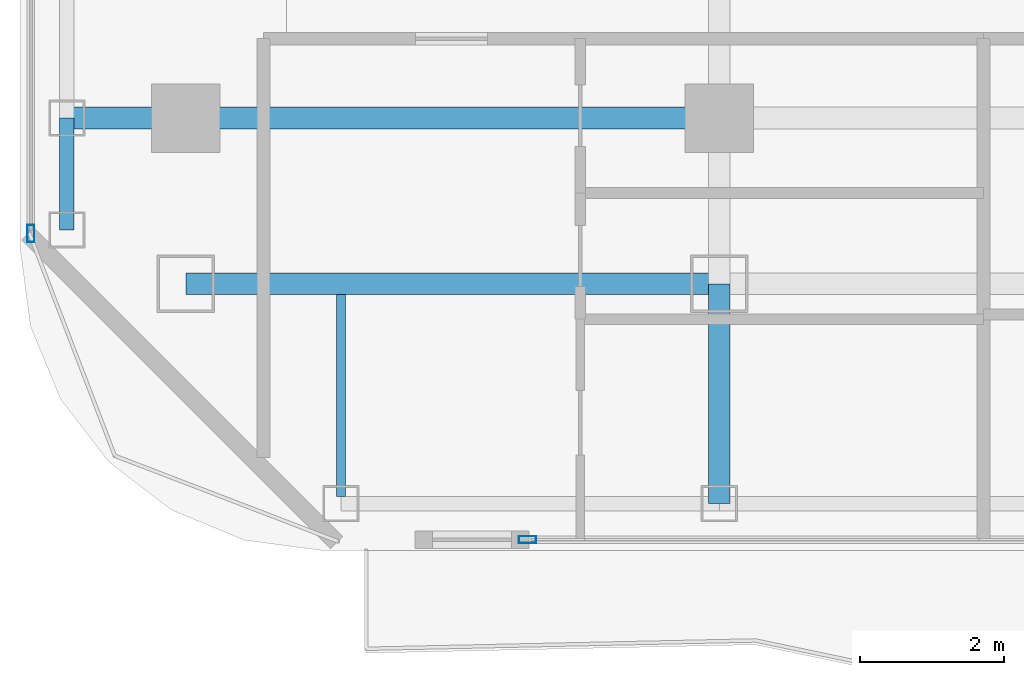
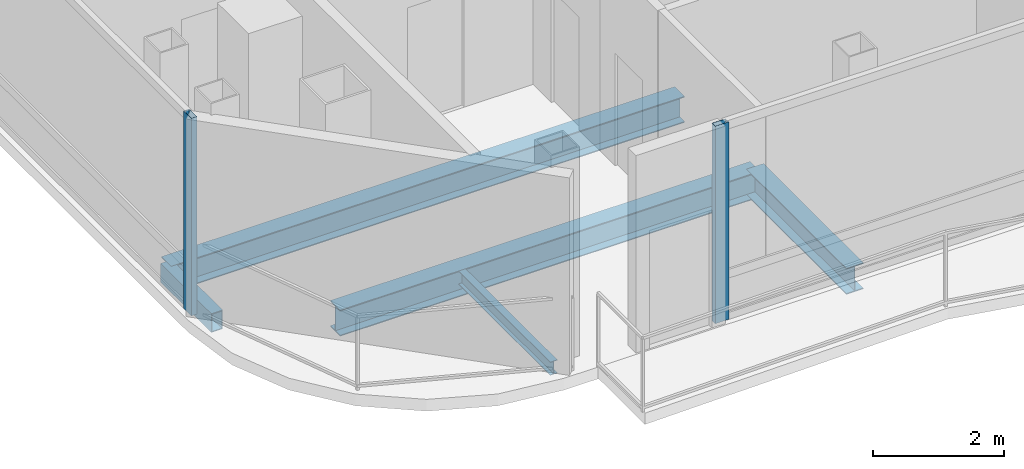
# One storey, part 2 of 24: 5 beams, 2 members, 2 elements without a shape of their own.
"""IFC4 building model written with IfcOpenShell, lengths in metres."""

from ifc_helpers import new_model, si_unit, direction, frame, origin, origin_2d, place, context, subcontext, project, spatial, hollow_rectangle, i_section, extrude, material, layer, layer_set, material_profile, profile_set, type_object, element, aggregate, save


model = new_model("IFC4")

# Units and contexts
model_context = context("Model", 3, precision=1e-05, world=origin(), true_north=direction((0.0, 1.0)))
body_context = subcontext(model_context, "Body", "Model", "MODEL_VIEW")
ifc_project = project(units=[si_unit("LENGTHUNIT", "METRE"), si_unit("AREAUNIT", "SQUARE_METRE"), si_unit("VOLUMEUNIT", "CUBIC_METRE"), si_unit("PLANEANGLEUNIT", "RADIAN"), si_unit("MASSUNIT", "GRAM", prefix="KILO")], contexts=[model_context])

# Site, building, storey
site_placement = place(None, origin())
site = spatial("IfcSite", under=ifc_project, at=site_placement, CompositionType="ELEMENT")
building_placement = place(site_placement, origin())
building = spatial("IfcBuilding", under=site, at=building_placement, Name="Khorvyn Point Tower", CompositionType="ELEMENT")
storey_placement = place(building_placement, frame((0.0, 0.0, 266.39990234375)))
storey = spatial("IfcBuildingStorey", under=building, at=storey_placement, Name="L65", CompositionType="ELEMENT", Elevation=266.39990234375)

# Curtain wall, member
ifc_material_1 = material(Name="Anodised aluminium 6063-T6 and laminated Low-E glass", Category="aluminium")
ifc_layer = layer(ifc_material_1, 0.18994140625)
ifc_layer_set = layer_set([ifc_layer], Name="Stick-Built High-Wind Curtain Wall CW-SYS-04")
curtain_wall_type = type_object("IfcCurtainWallType", Name="Stick-Built High-Wind Curtain Wall CW-SYS-04", PredefinedType="NOTDEFINED", material=ifc_layer_set)
curtain_wall_1_placement = place(storey_placement, origin())
curtain_wall_1 = element("IfcCurtainWall", 1, at=curtain_wall_1_placement, inside=storey, type_object=curtain_wall_type, Name="Curtain Wall", PredefinedType="NOTDEFINED")
ifc_material_2 = material(Name="Anodised aluminium 6063-T6", Category="aluminium")
ifc_material_profile_1 = material_profile(ifc_material_2, hollow_rectangle(XDim=0.10009765625, YDim=0.239990234375, WallThickness=0.0048828125, at=origin_2d()))
ifc_profile_set_1 = profile_set([ifc_material_profile_1], Name="Anodised aluminium 6063-T6 ALU-MUL-100x240")
member_type = type_object("IfcMemberType", Name="Anodised Aluminium 6063-T6 Mullion ALU-MUL-100x240", PredefinedType="MULLION", material=ifc_profile_set_1)
member_1_placement = place(storey_placement, frame((-10.05908203125, -20.64990234375, 0.0), z_axis=(0.0, 0.0, 1.0), x_axis=(0.0, -1.0, 0.0)))
member_1 = element("IfcMember", 2, at=member_1_placement, type_object=member_type, Name="Transom", PredefinedType="MULLION", context=body_context, shape_type="SweptSolid", body=[
    extrude(hollow_rectangle(XDim=0.10009765625, YDim=0.239990234375, WallThickness=0.0048828125, at=origin_2d()), origin(), (0.0, 0.0, 1.0), 3.68017578125),
])
aggregate(curtain_wall_1, [member_1])

curtain_wall_2_placement = place(storey_placement, origin())
curtain_wall_2 = element("IfcCurtainWall", 3, at=curtain_wall_2_placement, inside=storey, type_object=curtain_wall_type, Name="Curtain Wall", PredefinedType="NOTDEFINED")
member_2_placement = place(storey_placement, frame((-16.949951171875, -16.39990234375, 0.0), z_axis=(0.0, 0.0, 1.0), x_axis=(-1.0, 0.0, 0.0)))
member_2 = element("IfcMember", 4, at=member_2_placement, type_object=member_type, Name="Transom", PredefinedType="MULLION", context=body_context, shape_type="SweptSolid", body=[
    extrude(hollow_rectangle(XDim=0.10009765625, YDim=0.239990234375, WallThickness=0.0048828125, at=origin_2d()), origin(), (0.0, 0.0, 1.0), 3.68017578125),
])
aggregate(curtain_wall_2, [member_2])

# Beams
ifc_material_3 = material(Name="Steel S355", Category="steel")
ifc_material_profile_2 = material_profile(ifc_material_3, i_section(OverallWidth=0.125, OverallDepth=0.25, WebThickness=0.006103515625, FlangeThickness=0.009033203125, at=origin_2d()))
ifc_profile_set_2 = profile_set([ifc_material_profile_2], Name="Steel S355 H250x125x6x9")
beam_type_1 = type_object("IfcBeamType", Name="Steel S355 Joist H250x125x6x9", PredefinedType="JOIST", material=ifc_profile_set_2)
beam_1_placement = place(storey_placement, frame((-12.64990234375, -20.050048828125, -0.344970703125), z_axis=(0.0, 1.0, 0.0), x_axis=(-1.0, 0.0, 0.0)))
element("IfcBeam", 5, at=beam_1_placement, inside=storey, type_object=beam_type_1, Name="Beam", PredefinedType="JOIST", context=body_context, shape_type="SweptSolid", body=[
    extrude(i_section(OverallWidth=0.125, OverallDepth=0.25, WebThickness=0.006103515625, FlangeThickness=0.009033203125, at=origin_2d()), origin(), (0.0, 0.0, 1.0), 2.800048828125),
])
ifc_material_profile_3 = material_profile(ifc_material_3, i_section(OverallWidth=0.300048828125, OverallDepth=0.488037109375, WebThickness=0.010986328125, FlangeThickness=0.01806640625, at=origin_2d()))
ifc_profile_set_3 = profile_set([ifc_material_profile_3], Name="Steel S355 H488x300x11x18")
beam_type_2 = type_object("IfcBeamType", Name="Steel S355 Spandrel H488x300x11x18", PredefinedType="SPANDREL", material=ifc_profile_set_3)
beam_2_placement = place(storey_placement, frame((-16.449951171875, -14.800048828125, -0.4638671875), z_axis=(1.0, 0.0, 0.0), x_axis=(0.0, 1.0, 0.0)))
element("IfcBeam", 6, at=beam_2_placement, inside=storey, type_object=beam_type_2, Name="Beam", PredefinedType="SPANDREL", context=body_context, shape_type="SweptSolid", body=[
    extrude(i_section(OverallWidth=0.300048828125, OverallDepth=0.488037109375, WebThickness=0.010986328125, FlangeThickness=0.01806640625, at=origin_2d()), origin(), (0.0, 0.0, 1.0), 9.050048828125),
])
beam_3_placement = place(storey_placement, frame((-14.800048828125, -17.10009765625, -0.4638671875), z_axis=(1.0, 0.0, 0.0), x_axis=(0.0, 1.0, 0.0)))
element("IfcBeam", 7, at=beam_3_placement, inside=storey, type_object=beam_type_2, Name="Beam", PredefinedType="SPANDREL", context=body_context, shape_type="SweptSolid", body=[
    extrude(i_section(OverallWidth=0.300048828125, OverallDepth=0.488037109375, WebThickness=0.010986328125, FlangeThickness=0.01806640625, at=origin_2d()), origin(), (0.0, 0.0, 1.0), 7.400146484375),
])
beam_4_placement = place(storey_placement, frame((-7.39990234375, -20.14990234375, -0.4638671875), z_axis=(0.0, 1.0, 0.0), x_axis=(-1.0, 0.0, 0.0)))
element("IfcBeam", 8, at=beam_4_placement, inside=storey, type_object=beam_type_2, Name="Beam", PredefinedType="SPANDREL", context=body_context, shape_type="SweptSolid", body=[
    extrude(i_section(OverallWidth=0.300048828125, OverallDepth=0.488037109375, WebThickness=0.010986328125, FlangeThickness=0.01806640625, at=origin_2d()), origin(), (0.0, 0.0, 1.0), 3.0498046875),
])
ifc_material_profile_4 = material_profile(ifc_material_3, hollow_rectangle(XDim=0.199951171875, YDim=0.35009765625, WallThickness=0.013916015625, at=origin_2d()))
ifc_profile_set_4 = profile_set([ifc_material_profile_4], Name="Steel S355 RHS350x200x14")
beam_type_3 = type_object("IfcBeamType", Name="Steel S355 Spandrel RHS350x200x14", PredefinedType="SPANDREL", material=ifc_profile_set_4)
beam_5_placement = place(storey_placement, frame((-16.449951171875, -16.35009765625, -0.39501953125), z_axis=(0.0, 1.0, 0.0), x_axis=(-1.0, 0.0, 0.0)))
element("IfcBeam", 9, at=beam_5_placement, inside=storey, type_object=beam_type_3, Name="Beam", PredefinedType="SPANDREL", context=body_context, shape_type="SweptSolid", body=[
    extrude(hollow_rectangle(XDim=0.199951171875, YDim=0.35009765625, WallThickness=0.013916015625, at=origin_2d()), origin(), (0.0, 0.0, 1.0), 1.550048828125),
])

save(model, "model.ifc")
